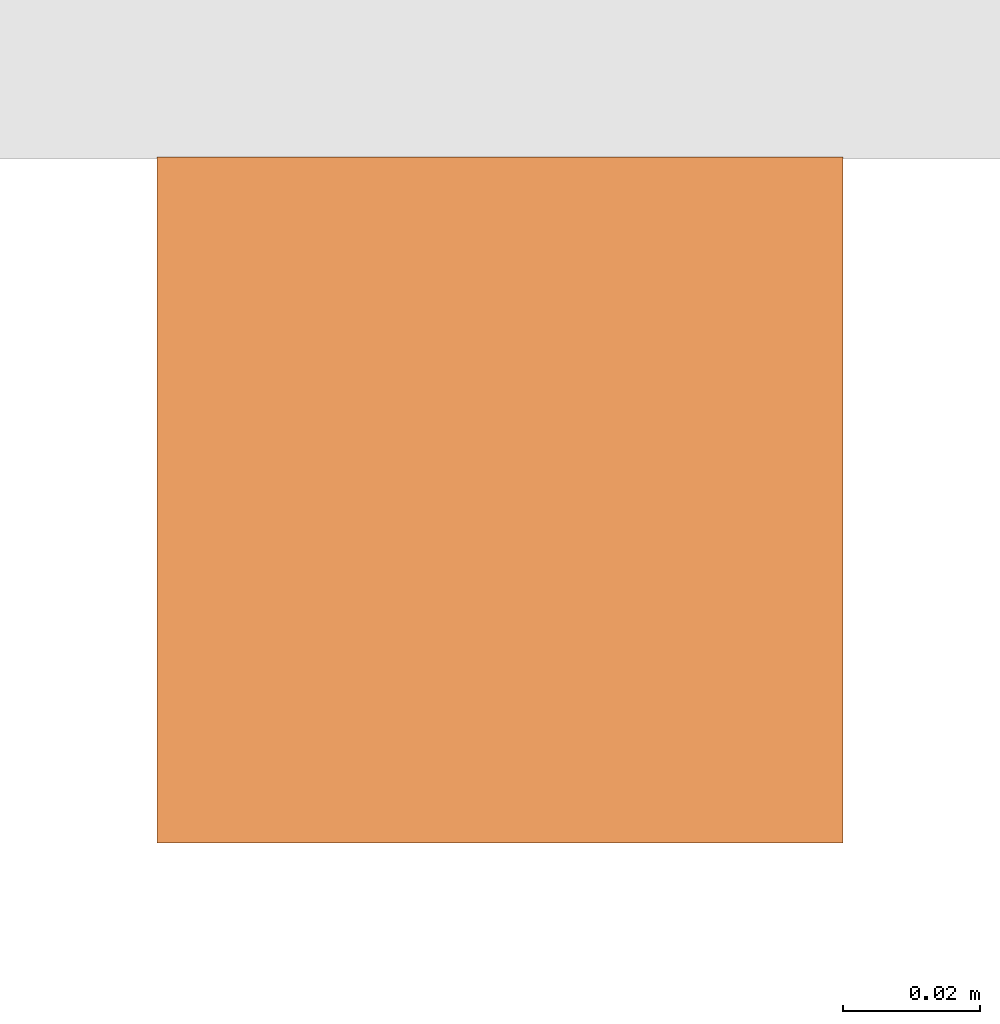
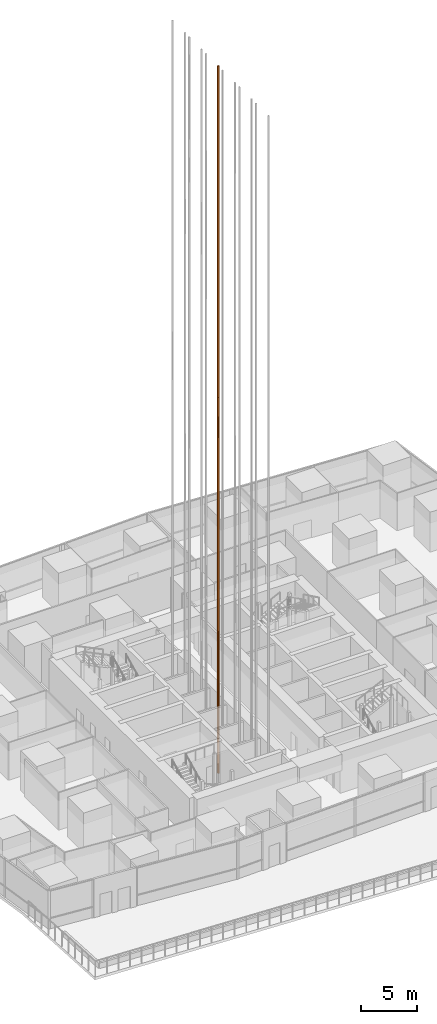
# One storey, part 39 of 44: 1 proxy.
"""IFC4 building model written with IfcOpenShell, lengths in metres."""

import ifcopenshell
import ifcopenshell.guid

model = None  # the IFC model being written
_history = None  # IfcOwnerHistory: only IFC2X3 demands one
_inside = {}  # id of a spatial element -> (the spatial element, [elements in it])
_under = {}  # id of a project, library or spatial element -> (it, [spatial elements below it])
_declared = {}  # id of a project -> (the project, [libraries it declares])
_typed = {}  # id of a type object -> (the type object, [elements of that type])
_made_of = {}  # id of a material, layer set ... -> (it, [elements and type objects made of it])


def new_model(schema):
    """Start an empty IFC model of exactly this schema.

    Asked for "IFC4X3", IfcOpenShell would pick the latest addendum, in which some entities
    have other attributes; the version numbers below select the first issue.
    IFC2X3 requires an IfcOwnerHistory on every rooted entity: one is made here for all.
    """
    global model, _history
    if schema == "IFC4X3":
        model = ifcopenshell.file(schema_version=(4, 3, 0, 0))
    else:
        model = ifcopenshell.file(schema=schema)
    _inside.clear()
    _under.clear()
    _declared.clear()
    _typed.clear()
    _made_of.clear()
    _history = None
    if model.schema == "IFC2X3":
        org = make("IfcOrganization", Name="unknown")
        user = make(
            "IfcPersonAndOrganization",
            ThePerson=make("IfcPerson", FamilyName="unknown"),
            TheOrganization=org,
        )
        app = make(
            "IfcApplication",
            ApplicationDeveloper=org,
            Version="unknown",
            ApplicationFullName="unknown",
            ApplicationIdentifier="unknown",
        )
        _history = make(
            "IfcOwnerHistory",
            OwningUser=user,
            OwningApplication=app,
            ChangeAction="ADDED",
            CreationDate=0,
        )
    return model


def make(cls, **values):
    """One entity of the class cls with the attributes given. An attribute that is None is left unset."""
    return model.create_entity(
        cls, **{name: value for name, value in values.items() if value is not None}
    )


def rooted(cls, **values):
    """An entity with a GlobalId (a new one), such as an element, a storey or a relation."""
    return make(cls, GlobalId=ifcopenshell.guid.new(), OwnerHistory=_history, **values)


def si_unit(unit_type, name, prefix=None):
    """IfcSIUnit, for example si_unit("LENGTHUNIT", "METRE", prefix="MILLI")."""
    return make("IfcSIUnit", UnitType=unit_type, Prefix=prefix, Name=name)


def assignment(units):
    """IfcUnitAssignment: the units of a project."""
    return None if units is None else make("IfcUnitAssignment", Units=units)


def point(xyz):
    """IfcCartesianPoint."""
    return None if xyz is None else make("IfcCartesianPoint", Coordinates=xyz)


def direction(xyz):
    """IfcDirection."""
    return None if xyz is None else make("IfcDirection", DirectionRatios=xyz)


def frame(location, z_axis=None, x_axis=None):
    """IfcAxis2Placement3D, a coordinate frame: its origin and axes. An axis left out is left unset."""
    return make(
        "IfcAxis2Placement3D",
        Location=point(location),
        Axis=direction(z_axis),
        RefDirection=direction(x_axis),
    )


def frame_2d(location, x_axis=None):
    """IfcAxis2Placement2D, a coordinate frame in the plane: its origin and x axis."""
    return make(
        "IfcAxis2Placement2D", Location=point(location), RefDirection=direction(x_axis)
    )


def origin():
    """The frame at (0, 0, 0) with its axes left unset."""
    return frame((0.0, 0.0, 0.0))


def origin_2d():
    """The frame at (0, 0) in the plane with its x axis left unset."""
    return frame_2d((0.0, 0.0))


def place(relative_to, where):
    """IfcLocalPlacement: puts the frame where relative to a parent placement (None: the world)."""
    return make(
        "IfcLocalPlacement", PlacementRelTo=relative_to, RelativePlacement=where
    )


def context(
    kind, dimensions, precision=None, world=None, true_north=None, identifier=None
):
    """IfcGeometricRepresentationContext, for example the 3D "Model" context."""
    return make(
        "IfcGeometricRepresentationContext",
        ContextIdentifier=identifier,
        ContextType=kind,
        CoordinateSpaceDimension=dimensions,
        Precision=precision,
        WorldCoordinateSystem=world,
        TrueNorth=true_north,
    )


def subcontext(parent, identifier, kind, view, scale=None):
    """IfcGeometricRepresentationSubContext, for example "Body" below "Model"."""
    return make(
        "IfcGeometricRepresentationSubContext",
        ContextIdentifier=identifier,
        ContextType=kind,
        ParentContext=parent,
        TargetScale=scale,
        TargetView=view,
    )


def project(units=None, contexts=None):
    """IfcProject with its units and contexts."""
    return rooted(
        "IfcProject",
        Name="project",
        RepresentationContexts=contexts,
        UnitsInContext=assignment(units),
    )


def spatial(cls, under=None, at=None, **own):
    """A site, building, storey or space (cls), placed at a placement, below another one or the project."""
    s = rooted(cls, ObjectPlacement=at, **own)
    if under is not None:
        _under.setdefault(under.id(), (under, []))[1].append(s)
    return s


def profile(cls, at=None, kind="AREA", **sizes):
    """A parametric profile (cls). Its sizes go by their IFC names, for example OverallWidth=200.0."""
    return make(cls, ProfileType=kind, Position=at, **sizes)


def rectangle(**sizes):
    """IfcRectangleProfileDef."""
    return profile("IfcRectangleProfileDef", **sizes)


def extrude(swept, where, along, depth):
    """IfcExtrudedAreaSolid: the profile swept, set in the frame where, extruded along a direction by depth."""
    return make(
        "IfcExtrudedAreaSolid",
        SweptArea=swept,
        Position=where,
        ExtrudedDirection=direction(along),
        Depth=depth,
    )


def shape(context_of_items, identifier, shape_type, items):
    """IfcShapeRepresentation: the items that make up one representation, for example the "Body"."""
    return make(
        "IfcShapeRepresentation",
        ContextOfItems=context_of_items,
        RepresentationIdentifier=identifier,
        RepresentationType=shape_type,
        Items=items,
    )


def material(Name=None, Category=None):
    """IfcMaterial."""
    return make("IfcMaterial", Name=Name, Category=Category)


def made_of(thing, what):
    """Note that an element or type object is made of a material, layer set ...; save() writes the relation."""
    if what is not None:
        _made_of.setdefault(what.id(), (what, []))[1].append(thing)
    return thing


def type_object(cls, material=None, **own):
    """A type object (cls), such as IfcWallType, which elements share."""
    return made_of(rooted(cls, **own), material)


def element(
    cls,
    number,
    at=None,
    inside=None,
    cuts=None,
    type_object=None,
    material=None,
    context=None,
    identifier="Body",
    shape_type=None,
    held_by="IfcProductDefinitionShape",
    body=None,
    shapes=None,
    **own,
):
    """One element of the class cls, such as IfcWall. Its Tag is "e" and its number.

    at: its placement. inside: the storey or other place that contains it. cuts: it is an
    opening in that element (IfcRelVoidsElement). A single representation is given by context,
    identifier, shape_type and body (its items); several are given by shapes. held_by: the class
    of the entity that holds the representations. save() writes the other relations.
    """
    e = rooted(cls, Tag="e%d" % number, ObjectPlacement=at, **own)
    if body is not None:
        shapes = [shape(context, identifier, shape_type, body)]
    if shapes is not None:
        e.Representation = make(held_by, Representations=shapes)
    if inside is not None:
        _inside.setdefault(inside.id(), (inside, []))[1].append(e)
    if cuts is not None:
        rooted(
            "IfcRelVoidsElement", RelatingBuildingElement=cuts, RelatedOpeningElement=e
        )
    if type_object is not None:
        _typed.setdefault(type_object.id(), (type_object, []))[1].append(e)
    return made_of(e, material)


def aggregate(whole, parts):
    """IfcRelAggregates: a whole, such as a stair, and the parts it consists of."""
    return rooted("IfcRelAggregates", RelatingObject=whole, RelatedObjects=parts)


def save(model, path):
    """Write the relations noted so far, then the file.

    IfcRelAggregates (storeys below a building ...), IfcRelContainedInSpatialStructure (elements
    in a storey), IfcRelDefinesByType, IfcRelAssociatesMaterial and IfcRelDeclares: one each for
    every whole, place, type object, material and project.
    """
    for whole, parts in _under.values():
        aggregate(whole, parts)
    for where, things in _inside.values():
        rooted(
            "IfcRelContainedInSpatialStructure",
            RelatedElements=things,
            RelatingStructure=where,
        )
    for kind, things in _typed.values():
        rooted("IfcRelDefinesByType", RelatedObjects=things, RelatingType=kind)
    for what, things in _made_of.values():
        rooted("IfcRelAssociatesMaterial", RelatedObjects=things, RelatingMaterial=what)
    for by, libraries in _declared.values():
        rooted("IfcRelDeclares", RelatingContext=by, RelatedDefinitions=libraries)
    model.write(path)


model = new_model("IFC4")

# Units and contexts
model_context = context("Model", 3, precision=1e-05, world=origin(), true_north=direction((0.0, 1.0)))
body_context = subcontext(model_context, "Body", "Model", "MODEL_VIEW")
ifc_project = project(units=[si_unit("LENGTHUNIT", "METRE"), si_unit("AREAUNIT", "SQUARE_METRE"), si_unit("VOLUMEUNIT", "CUBIC_METRE"), si_unit("PLANEANGLEUNIT", "RADIAN"), si_unit("MASSUNIT", "GRAM", prefix="KILO")], contexts=[model_context])

# Site, building, storey
site_placement = place(None, origin())
site = spatial("IfcSite", under=ifc_project, at=site_placement, CompositionType="ELEMENT")
building_placement = place(site_placement, origin())
building = spatial("IfcBuilding", under=site, at=building_placement, Name="Rekha Terrace Tower", CompositionType="ELEMENT")
storey_placement = place(building_placement, frame((0.0, 0.0, 90.800048828125)))
storey = spatial("IfcBuildingStorey", under=building, at=storey_placement, Name="L22", CompositionType="ELEMENT", Elevation=90.800048828125)

# Proxy
ifc_material = material(Name="Steel guide rail", Category="steel")
building_element_proxy_type = type_object("IfcBuildingElementProxyType", Name="LR1 100 lift guide rail", PredefinedType="ELEMENT", material=ifc_material)
proxy_placement = place(storey_placement, frame((34.5, 32.800048828125, -3.300048828125), z_axis=(0.0, 0.0, 1.0), x_axis=(1.0, 0.0, 0.0)))
element("IfcBuildingElementProxy", 1, at=proxy_placement, inside=storey, type_object=building_element_proxy_type, Name="Lift B4 guide rail 1", PredefinedType="ELEMENT", context=body_context, shape_type="SweptSolid", body=[
    extrude(rectangle(XDim=0.10009765625, YDim=0.10009765625, at=origin_2d()), origin(), (0.0, 0.0, 1.0), 77.39990234375),
])

save(model, "model.ifc")
